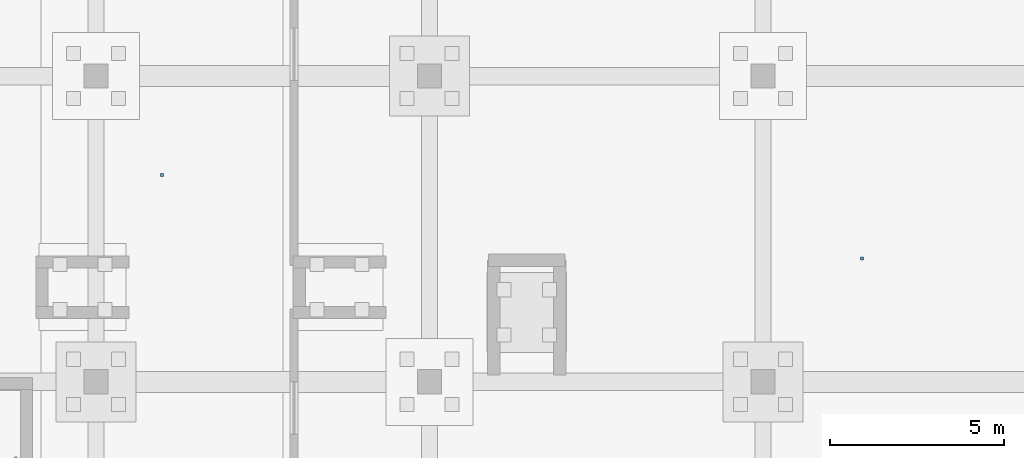
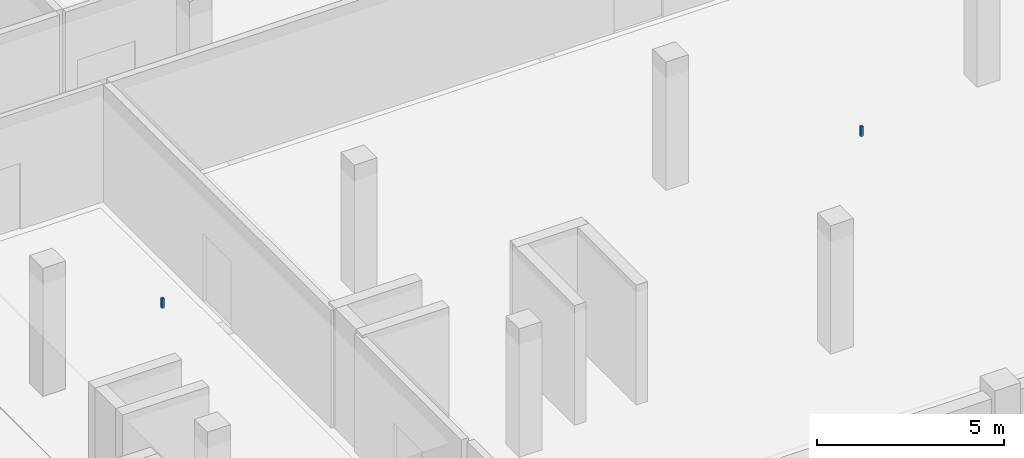
# One storey, part 19 of 31: 2 discrete accessories.
"""IFC4 building model written with IfcOpenShell, lengths in metres."""

from ifc_helpers import new_model, si_unit, direction, frame, origin, origin_2d, place, context, subcontext, project, spatial, rectangle, extrude, material, type_object, element, save


model = new_model("IFC4")

# Units and contexts
model_context = context("Model", 3, precision=1e-05, world=origin(), true_north=direction((0.0, 1.0)))
body_context = subcontext(model_context, "Body", "Model", "MODEL_VIEW")
ifc_project = project(units=[si_unit("LENGTHUNIT", "METRE"), si_unit("AREAUNIT", "SQUARE_METRE"), si_unit("VOLUMEUNIT", "CUBIC_METRE"), si_unit("PLANEANGLEUNIT", "RADIAN"), si_unit("MASSUNIT", "GRAM", prefix="KILO")], contexts=[model_context])

# Site, building, storey
site_placement = place(None, origin())
site = spatial("IfcSite", under=ifc_project, at=site_placement, CompositionType="ELEMENT")
building_placement = place(site_placement, origin())
building = spatial("IfcBuilding", under=site, at=building_placement, Name="Chalmorin Arch Market", CompositionType="ELEMENT")
storey_placement = place(building_placement, frame((0.0, 0.0, -4.199951171875)))
storey = spatial("IfcBuildingStorey", under=building, at=storey_placement, Name="B1", CompositionType="ELEMENT", Elevation=-4.199951171875)

# Discrete accessories
ifc_material = material(Name="Galvanized Cold-Formed Steel", Category="steel")
discrete_accessory_type = type_object("IfcDiscreteAccessoryType", Name="CeilingSuspensionBracket-80x80", PredefinedType="BRACKET", material=ifc_material)
for number, where, z_axis, x_axis, name in (
    (1, (59.5, 20.75, 3.653076171875), (0.0, 0.0, 1.0), (1.0, 0.0, 0.0), "CSB-041"),
    (2, (79.64990234375, 18.35009765625, 3.653076171875), (0.0, 0.0, 1.0), (1.0, 0.0, 0.0), "CSB-043"),
):
    element("IfcDiscreteAccessory", number, at=place(storey_placement, frame(where, z_axis=z_axis, x_axis=x_axis)), inside=storey, type_object=discrete_accessory_type, Name=name, PredefinedType="BRACKET", context=body_context, shape_type="SweptSolid", body=[
        extrude(rectangle(XDim=0.080078125, YDim=0.080078125, at=origin_2d()), origin(), (0.0, 0.0, 1.0), 0.31689453125),
    ])

save(model, "model.ifc")
